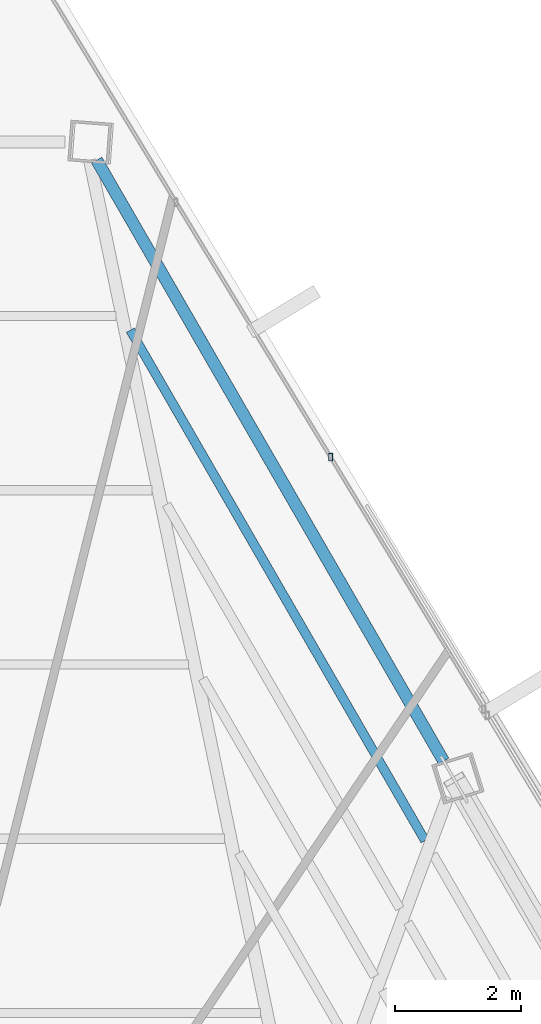
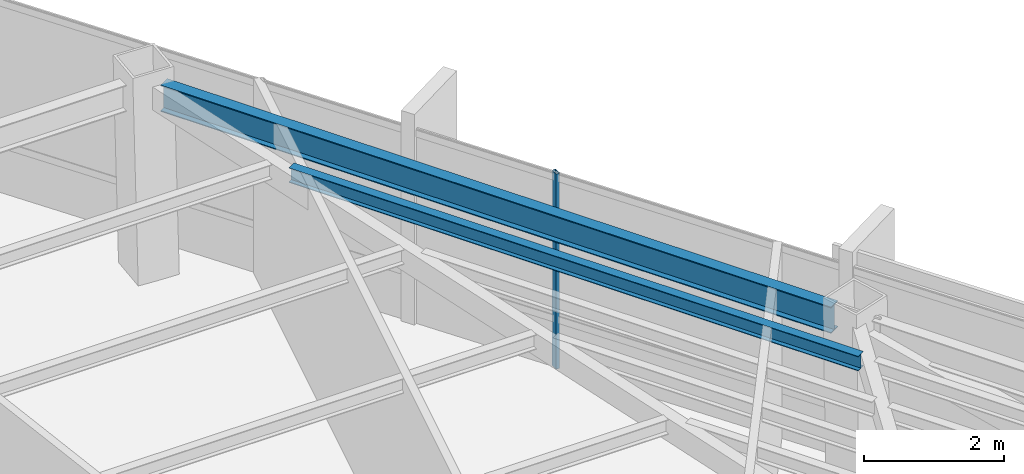
# One storey, part 34 of 42: 2 beams, 1 member, 1 element without a shape of its own.
"""IFC4 building model written with IfcOpenShell, lengths in metres."""

from ifc_helpers import new_model, si_unit, direction, frame, origin, origin_2d, place, context, subcontext, project, spatial, hollow_rectangle, i_section, extrude, source, transform, mapped, material, material_profile, profile_set, type_object, type_shapes, element, aggregate, save


model = new_model("IFC4")

# Units and contexts
model_context = context("Model", 3, precision=1e-05, world=origin(), true_north=direction((0.0, 1.0)))
body_context = subcontext(model_context, "Body", "Model", "MODEL_VIEW")
ifc_project = project(units=[si_unit("LENGTHUNIT", "METRE"), si_unit("AREAUNIT", "SQUARE_METRE"), si_unit("VOLUMEUNIT", "CUBIC_METRE"), si_unit("PLANEANGLEUNIT", "RADIAN"), si_unit("MASSUNIT", "GRAM", prefix="KILO")], contexts=[model_context])

# Site, building, storey
site_placement = place(None, origin())
site = spatial("IfcSite", under=ifc_project, at=site_placement, CompositionType="ELEMENT")
building_placement = place(site_placement, origin())
building = spatial("IfcBuilding", under=site, at=building_placement, Name="Caelisora Broadcast Tower", CompositionType="ELEMENT")
storey_placement = place(building_placement, frame((0.0, 0.0, 244.449951171875)))
storey = spatial("IfcBuildingStorey", under=building, at=storey_placement, Name="L64", CompositionType="ELEMENT", Elevation=244.449951171875)

# Beams
ifc_material_1 = material(Name="Steel Grade 350 (AS/NZS 3679.1)", Category="steel")
ifc_material_profile_1 = material_profile(ifc_material_1, i_section(OverallWidth=0.19091796875, OverallDepth=0.46044921875, WebThickness=0.010009765625, FlangeThickness=0.01611328125, at=origin_2d()), Name="Steel Grade 350 (AS/NZS 3679.1)")
ifc_profile_set_1 = profile_set([ifc_material_profile_1], Name="Steel Grade 350 (AS/NZS 3679.1)")
beam_type_1 = type_object("IfcBeamType", Name="PG06", PredefinedType="BEAM", material=ifc_profile_set_1)
shared_shape_1 = source(origin(), body_context, "Body", "SweptSolid", [
    extrude(i_section(OverallWidth=0.19091796875, OverallDepth=0.46044921875, WebThickness=0.010009765625, FlangeThickness=0.01611328125, at=origin_2d()), origin(), (0.0, 0.0, 1.0), 11.05859375),
])
type_shapes(beam_type_1, [shared_shape_1])
beam_1_placement = place(storey_placement, frame((47.74267578125, 36.790283203125, 3.169921875), z_axis=(-0.499995092988, 0.866028236831, 0.0), x_axis=(-0.866028236831, -0.499995092988, 0.0)))
element("IfcBeam", 1, at=beam_1_placement, inside=storey, type_object=beam_type_1, Name="L64 beam PG06", PredefinedType="BEAM", context=body_context, shape_type="MappedRepresentation", body=[
    mapped(shared_shape_1, transform((0.0, 0.0, 0.0), scale=1.0)),
])
ifc_material_profile_2 = material_profile(ifc_material_1, i_section(OverallWidth=0.14599609375, OverallDepth=0.256103515625, WebThickness=0.00634765625, FlangeThickness=0.010986328125, at=origin_2d()), Name="Steel Grade 350 (AS/NZS 3679.1)")
ifc_profile_set_2 = profile_set([ifc_material_profile_2], Name="Steel Grade 350 (AS/NZS 3679.1)")
beam_type_2 = type_object("IfcBeamType", Name="SB04", PredefinedType="JOIST", material=ifc_profile_set_2)
shared_shape_2 = source(origin(), body_context, "Body", "SweptSolid", [
    extrude(i_section(OverallWidth=0.14599609375, OverallDepth=0.256103515625, WebThickness=0.00634765625, FlangeThickness=0.010986328125, at=origin_2d()), origin(), (0.0, 0.0, 1.0), 9.39208984375),
])
type_shapes(beam_type_2, [shared_shape_2])
beam_2_placement = place(storey_placement, frame((47.4462890625, 35.5244140625, 3.27197265625), z_axis=(-0.499999969424, 0.866025421437, 0.0), x_axis=(-0.866025421437, -0.499999969424, 0.0)))
element("IfcBeam", 2, at=beam_2_placement, inside=storey, type_object=beam_type_2, Name="L64 beam SB04", PredefinedType="JOIST", context=body_context, shape_type="MappedRepresentation", body=[
    mapped(shared_shape_2, transform((0.0, 0.0, 0.0), scale=1.0)),
])

# Curtain wall, member
ifc_material_2 = material(Name="Unitised Aluminium and Low-E Glass Curtain Wall", Category="glass")
curtain_wall_type = type_object("IfcCurtainWallType", Name="CW-Z5", PredefinedType="NOTDEFINED", material=ifc_material_2)
curtain_wall_placement = place(storey_placement, origin())
curtain_wall = element("IfcCurtainWall", 3, at=curtain_wall_placement, inside=storey, type_object=curtain_wall_type, Name="L64 curtain wall CW-Z5", PredefinedType="NOTDEFINED")
ifc_material_3 = material(Name="Aluminium 6063-T6 Anodised Terracotta Bronze", Category="aluminium")
ifc_material_profile_3 = material_profile(ifc_material_3, hollow_rectangle(XDim=0.06005859375, YDim=0.1201171875, WallThickness=0.0029296875, at=origin_2d()), Name="Aluminium 6063-T6 Anodised Terracotta Bronze")
ifc_profile_set_3 = profile_set([ifc_material_profile_3], Name="Aluminium 6063-T6 Anodised Terracotta Bronze")
member_type = type_object("IfcMemberType", Name="CWM-04", PredefinedType="MULLION", material=ifc_profile_set_3)
shared_shape_3 = source(origin(), body_context, "Body", "SweptSolid", [
    extrude(hollow_rectangle(XDim=0.06005859375, YDim=0.1201171875, WallThickness=0.0029296875, at=origin_2d()), origin(), (0.0, 0.0, 1.0), 3.400146484375),
])
type_shapes(member_type, [shared_shape_3])
member_placement = place(storey_placement, frame((45.942626953125, 41.634033203125, 0.0), z_axis=(0.0, 0.0, 1.0), x_axis=(1.0, 0.0, 0.0)))
member = element("IfcMember", 4, at=member_placement, type_object=member_type, Name="L64-CW-B01 mullion #2", PredefinedType="MULLION", context=body_context, shape_type="MappedRepresentation", body=[
    mapped(shared_shape_3, transform((0.0, 0.0, 0.0), scale=1.0)),
])
aggregate(curtain_wall, [member])

save(model, "model.ifc")
